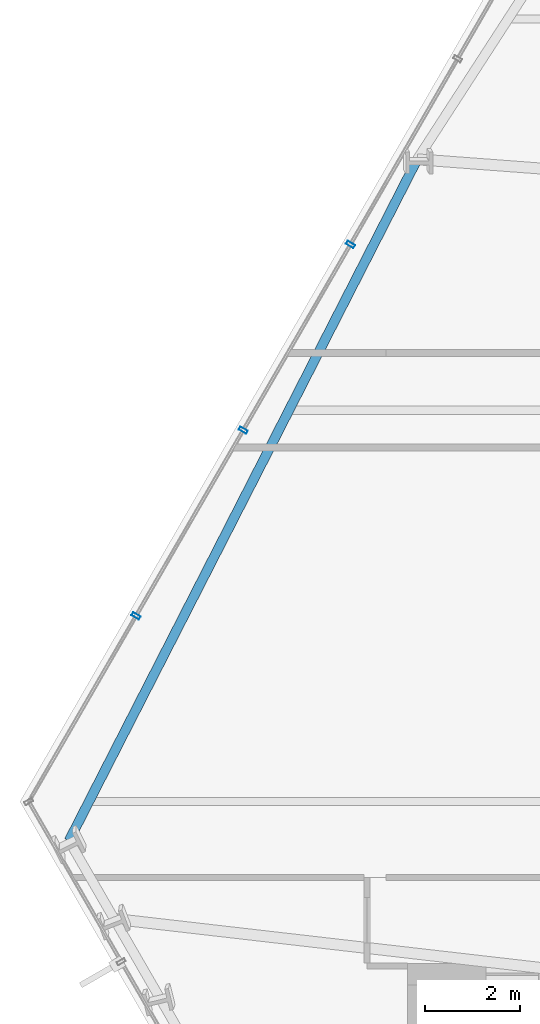
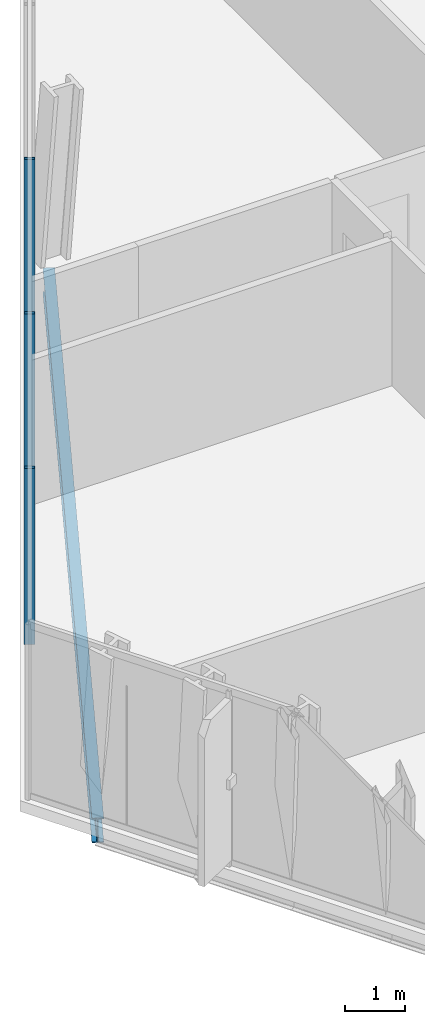
# One storey, part 11 of 32: 3 members, 1 beam, 1 element without a shape of its own.
"""IFC4 building model written with IfcOpenShell, lengths in metres."""

import ifcopenshell
import ifcopenshell.guid

model = None  # the IFC model being written
_history = None  # IfcOwnerHistory: only IFC2X3 demands one
_inside = {}  # id of a spatial element -> (the spatial element, [elements in it])
_under = {}  # id of a project, library or spatial element -> (it, [spatial elements below it])
_declared = {}  # id of a project -> (the project, [libraries it declares])
_typed = {}  # id of a type object -> (the type object, [elements of that type])
_made_of = {}  # id of a material, layer set ... -> (it, [elements and type objects made of it])


def new_model(schema):
    """Start an empty IFC model of exactly this schema.

    Asked for "IFC4X3", IfcOpenShell would pick the latest addendum, in which some entities
    have other attributes; the version numbers below select the first issue.
    IFC2X3 requires an IfcOwnerHistory on every rooted entity: one is made here for all.
    """
    global model, _history
    if schema == "IFC4X3":
        model = ifcopenshell.file(schema_version=(4, 3, 0, 0))
    else:
        model = ifcopenshell.file(schema=schema)
    _inside.clear()
    _under.clear()
    _declared.clear()
    _typed.clear()
    _made_of.clear()
    _history = None
    if model.schema == "IFC2X3":
        org = make("IfcOrganization", Name="unknown")
        user = make(
            "IfcPersonAndOrganization",
            ThePerson=make("IfcPerson", FamilyName="unknown"),
            TheOrganization=org,
        )
        app = make(
            "IfcApplication",
            ApplicationDeveloper=org,
            Version="unknown",
            ApplicationFullName="unknown",
            ApplicationIdentifier="unknown",
        )
        _history = make(
            "IfcOwnerHistory",
            OwningUser=user,
            OwningApplication=app,
            ChangeAction="ADDED",
            CreationDate=0,
        )
    return model


def make(cls, **values):
    """One entity of the class cls with the attributes given. An attribute that is None is left unset."""
    return model.create_entity(
        cls, **{name: value for name, value in values.items() if value is not None}
    )


def rooted(cls, **values):
    """An entity with a GlobalId (a new one), such as an element, a storey or a relation."""
    return make(cls, GlobalId=ifcopenshell.guid.new(), OwnerHistory=_history, **values)


def si_unit(unit_type, name, prefix=None):
    """IfcSIUnit, for example si_unit("LENGTHUNIT", "METRE", prefix="MILLI")."""
    return make("IfcSIUnit", UnitType=unit_type, Prefix=prefix, Name=name)


def assignment(units):
    """IfcUnitAssignment: the units of a project."""
    return None if units is None else make("IfcUnitAssignment", Units=units)


def point(xyz):
    """IfcCartesianPoint."""
    return None if xyz is None else make("IfcCartesianPoint", Coordinates=xyz)


def direction(xyz):
    """IfcDirection."""
    return None if xyz is None else make("IfcDirection", DirectionRatios=xyz)


def frame(location, z_axis=None, x_axis=None):
    """IfcAxis2Placement3D, a coordinate frame: its origin and axes. An axis left out is left unset."""
    return make(
        "IfcAxis2Placement3D",
        Location=point(location),
        Axis=direction(z_axis),
        RefDirection=direction(x_axis),
    )


def frame_2d(location, x_axis=None):
    """IfcAxis2Placement2D, a coordinate frame in the plane: its origin and x axis."""
    return make(
        "IfcAxis2Placement2D", Location=point(location), RefDirection=direction(x_axis)
    )


def origin():
    """The frame at (0, 0, 0) with its axes left unset."""
    return frame((0.0, 0.0, 0.0))


def origin_2d():
    """The frame at (0, 0) in the plane with its x axis left unset."""
    return frame_2d((0.0, 0.0))


def place(relative_to, where):
    """IfcLocalPlacement: puts the frame where relative to a parent placement (None: the world)."""
    return make(
        "IfcLocalPlacement", PlacementRelTo=relative_to, RelativePlacement=where
    )


def context(
    kind, dimensions, precision=None, world=None, true_north=None, identifier=None
):
    """IfcGeometricRepresentationContext, for example the 3D "Model" context."""
    return make(
        "IfcGeometricRepresentationContext",
        ContextIdentifier=identifier,
        ContextType=kind,
        CoordinateSpaceDimension=dimensions,
        Precision=precision,
        WorldCoordinateSystem=world,
        TrueNorth=true_north,
    )


def subcontext(parent, identifier, kind, view, scale=None):
    """IfcGeometricRepresentationSubContext, for example "Body" below "Model"."""
    return make(
        "IfcGeometricRepresentationSubContext",
        ContextIdentifier=identifier,
        ContextType=kind,
        ParentContext=parent,
        TargetScale=scale,
        TargetView=view,
    )


def project(units=None, contexts=None):
    """IfcProject with its units and contexts."""
    return rooted(
        "IfcProject",
        Name="project",
        RepresentationContexts=contexts,
        UnitsInContext=assignment(units),
    )


def spatial(cls, under=None, at=None, **own):
    """A site, building, storey or space (cls), placed at a placement, below another one or the project."""
    s = rooted(cls, ObjectPlacement=at, **own)
    if under is not None:
        _under.setdefault(under.id(), (under, []))[1].append(s)
    return s


def profile(cls, at=None, kind="AREA", **sizes):
    """A parametric profile (cls). Its sizes go by their IFC names, for example OverallWidth=200.0."""
    return make(cls, ProfileType=kind, Position=at, **sizes)


def hollow_rectangle(**sizes):
    """IfcRectangleHollowProfileDef."""
    return profile("IfcRectangleHollowProfileDef", **sizes)


def i_section(**sizes):
    """IfcIShapeProfileDef."""
    return profile("IfcIShapeProfileDef", **sizes)


def extrude(swept, where, along, depth):
    """IfcExtrudedAreaSolid: the profile swept, set in the frame where, extruded along a direction by depth."""
    return make(
        "IfcExtrudedAreaSolid",
        SweptArea=swept,
        Position=where,
        ExtrudedDirection=direction(along),
        Depth=depth,
    )


def shape(context_of_items, identifier, shape_type, items):
    """IfcShapeRepresentation: the items that make up one representation, for example the "Body"."""
    return make(
        "IfcShapeRepresentation",
        ContextOfItems=context_of_items,
        RepresentationIdentifier=identifier,
        RepresentationType=shape_type,
        Items=items,
    )


def material(Name=None, Category=None):
    """IfcMaterial."""
    return make("IfcMaterial", Name=Name, Category=Category)


def layer(
    of_material, thickness, ventilated=None, Name=None, Category=None, Priority=None
):
    """IfcMaterialLayer: one layer of a wall or slab, of a material (None: an air gap)."""
    return make(
        "IfcMaterialLayer",
        Material=of_material,
        LayerThickness=thickness,
        IsVentilated=ventilated,
        Name=Name,
        Category=Category,
        Priority=Priority,
    )


def layer_set(layers, Name=None):
    """IfcMaterialLayerSet."""
    return make("IfcMaterialLayerSet", MaterialLayers=layers, LayerSetName=Name)


def material_profile(
    of_material, cross_section, Name=None, Category=None, Priority=None
):
    """IfcMaterialProfile: a cross section and its material."""
    return make(
        "IfcMaterialProfile",
        Name=Name,
        Material=of_material,
        Profile=cross_section,
        Priority=Priority,
        Category=Category,
    )


def profile_set(profiles, Name=None, composite=None):
    """IfcMaterialProfileSet."""
    return make(
        "IfcMaterialProfileSet",
        Name=Name,
        MaterialProfiles=profiles,
        CompositeProfile=composite,
    )


def made_of(thing, what):
    """Note that an element or type object is made of a material, layer set ...; save() writes the relation."""
    if what is not None:
        _made_of.setdefault(what.id(), (what, []))[1].append(thing)
    return thing


def type_object(cls, material=None, **own):
    """A type object (cls), such as IfcWallType, which elements share."""
    return made_of(rooted(cls, **own), material)


def element(
    cls,
    number,
    at=None,
    inside=None,
    cuts=None,
    type_object=None,
    material=None,
    context=None,
    identifier="Body",
    shape_type=None,
    held_by="IfcProductDefinitionShape",
    body=None,
    shapes=None,
    **own,
):
    """One element of the class cls, such as IfcWall. Its Tag is "e" and its number.

    at: its placement. inside: the storey or other place that contains it. cuts: it is an
    opening in that element (IfcRelVoidsElement). A single representation is given by context,
    identifier, shape_type and body (its items); several are given by shapes. held_by: the class
    of the entity that holds the representations. save() writes the other relations.
    """
    e = rooted(cls, Tag="e%d" % number, ObjectPlacement=at, **own)
    if body is not None:
        shapes = [shape(context, identifier, shape_type, body)]
    if shapes is not None:
        e.Representation = make(held_by, Representations=shapes)
    if inside is not None:
        _inside.setdefault(inside.id(), (inside, []))[1].append(e)
    if cuts is not None:
        rooted(
            "IfcRelVoidsElement", RelatingBuildingElement=cuts, RelatedOpeningElement=e
        )
    if type_object is not None:
        _typed.setdefault(type_object.id(), (type_object, []))[1].append(e)
    return made_of(e, material)


def aggregate(whole, parts):
    """IfcRelAggregates: a whole, such as a stair, and the parts it consists of."""
    return rooted("IfcRelAggregates", RelatingObject=whole, RelatedObjects=parts)


def save(model, path):
    """Write the relations noted so far, then the file.

    IfcRelAggregates (storeys below a building ...), IfcRelContainedInSpatialStructure (elements
    in a storey), IfcRelDefinesByType, IfcRelAssociatesMaterial and IfcRelDeclares: one each for
    every whole, place, type object, material and project.
    """
    for whole, parts in _under.values():
        aggregate(whole, parts)
    for where, things in _inside.values():
        rooted(
            "IfcRelContainedInSpatialStructure",
            RelatedElements=things,
            RelatingStructure=where,
        )
    for kind, things in _typed.values():
        rooted("IfcRelDefinesByType", RelatedObjects=things, RelatingType=kind)
    for what, things in _made_of.values():
        rooted("IfcRelAssociatesMaterial", RelatedObjects=things, RelatingMaterial=what)
    for by, libraries in _declared.values():
        rooted("IfcRelDeclares", RelatingContext=by, RelatedDefinitions=libraries)
    model.write(path)


model = new_model("IFC4")

# Units and contexts
model_context = context("Model", 3, precision=1e-05, world=origin(), true_north=direction((0.0, 1.0)))
body_context = subcontext(model_context, "Body", "Model", "MODEL_VIEW")
ifc_project = project(units=[si_unit("LENGTHUNIT", "METRE"), si_unit("AREAUNIT", "SQUARE_METRE"), si_unit("VOLUMEUNIT", "CUBIC_METRE"), si_unit("PLANEANGLEUNIT", "RADIAN"), si_unit("MASSUNIT", "GRAM", prefix="KILO")], contexts=[model_context])

# Site, building, storey
site_placement = place(None, origin())
site = spatial("IfcSite", under=ifc_project, at=site_placement, CompositionType="ELEMENT")
building_placement = place(site_placement, origin())
building = spatial("IfcBuilding", under=site, at=building_placement, Name="Ndaravel Arena Tower", CompositionType="ELEMENT")
storey_placement = place(building_placement, frame((0.0, 0.0, 66.39990234375)))
storey = spatial("IfcBuildingStorey", under=building, at=storey_placement, Name="L14", CompositionType="ELEMENT", Elevation=66.39990234375)

# Beam
ifc_material_1 = material(Name="Steel S355", Category="steel")
ifc_material_profile_1 = material_profile(ifc_material_1, i_section(OverallWidth=0.199951171875, OverallDepth=0.5, WebThickness=0.01025390625, FlangeThickness=0.01611328125, FilletRadius=0.02099609375, at=origin_2d()), Name="IPE 500")
ifc_profile_set_1 = profile_set([ifc_material_profile_1], Name="Steel S355")
beam_type = type_object("IfcBeamType", Name="BM-SPAN-IPE500", PredefinedType="SPANDREL", material=ifc_profile_set_1)
beam_placement = place(storey_placement, frame((26.653564453125, 32.060791015625, -0.469970703125), z_axis=(-0.455114813305, -0.890432763722, 0.0), x_axis=(0.890432763722, -0.455114813305, 0.0)))
element("IfcBeam", 1, at=beam_placement, inside=storey, type_object=beam_type, Name="L14 Perimeter Spandrel Beam SP-19", PredefinedType="SPANDREL", context=body_context, shape_type="SweptSolid", body=[
    extrude(i_section(OverallWidth=0.199951171875, OverallDepth=0.5, WebThickness=0.01025390625, FlangeThickness=0.01611328125, FilletRadius=0.02099609375, at=origin_2d()), origin(), (0.0, 0.0, 1.0), 16.044189453125),
])

# Curtain wall, members
ifc_material_2 = material(Name="Aluminium", Category="aluminium")
ifc_layer = layer(ifc_material_2, 0.179931640625)
ifc_layer_set = layer_set([ifc_layer], Name="Aluminium")
curtain_wall_type = type_object("IfcCurtainWallType", Name="CW-SYS-03", PredefinedType="NOTDEFINED", material=ifc_layer_set)
curtain_wall_placement = place(storey_placement, origin())
curtain_wall = element("IfcCurtainWall", 2, at=curtain_wall_placement, inside=storey, type_object=curtain_wall_type, Name="L14 Faceted Crystal Curtain Wall CW-L14-E05", PredefinedType="NOTDEFINED")
ifc_material_3 = material(Name="Aluminium", Category="aluminium")
ifc_material_profile_2 = material_profile(ifc_material_3, hollow_rectangle(XDim=0.074951171875, YDim=0.179931640625, WallThickness=0.00390625, at=origin_2d()), Name="CW MULLION 75x180x4")
ifc_profile_set_2 = profile_set([ifc_material_profile_2], Name="Aluminium")
member_type = type_object("IfcMemberType", Name="MEM-CW-MUL180", PredefinedType="MULLION", material=ifc_profile_set_2)
member_1_placement = place(storey_placement, frame((25.25244140625, 30.274169921875, 0.0), z_axis=(0.0, 0.0, 1.0), x_axis=(-0.5, -0.866025403784, 0.0)))
member_1 = element("IfcMember", 3, at=member_1_placement, type_object=member_type, Name="CW-L14-E05 Mullion 04", PredefinedType="MULLION", context=body_context, shape_type="SweptSolid", body=[
    extrude(hollow_rectangle(XDim=0.074951171875, YDim=0.179931640625, WallThickness=0.00390625, at=origin_2d()), origin(), (0.0, 0.0, 1.0), 3.580078125),
])
member_2_placement = place(storey_placement, frame((23.004638671875, 26.380859375, 0.0), z_axis=(0.0, 0.0, 1.0), x_axis=(-0.5, -0.866025403784, 0.0)))
member_2 = element("IfcMember", 4, at=member_2_placement, type_object=member_type, Name="CW-L14-E05 Mullion 05", PredefinedType="MULLION", context=body_context, shape_type="SweptSolid", body=[
    extrude(hollow_rectangle(XDim=0.074951171875, YDim=0.179931640625, WallThickness=0.00390625, at=origin_2d()), origin(), (0.0, 0.0, 1.0), 3.580078125),
])
member_3_placement = place(storey_placement, frame((20.7568359375, 22.4873046875, 0.0), z_axis=(0.0, 0.0, 1.0), x_axis=(-0.5, -0.866025403784, 0.0)))
member_3 = element("IfcMember", 5, at=member_3_placement, type_object=member_type, Name="CW-L14-E05 Mullion 06", PredefinedType="MULLION", context=body_context, shape_type="SweptSolid", body=[
    extrude(hollow_rectangle(XDim=0.074951171875, YDim=0.179931640625, WallThickness=0.00390625, at=origin_2d()), origin(), (0.0, 0.0, 1.0), 3.580078125),
])
aggregate(curtain_wall, [member_1, member_2, member_3])

save(model, "model.ifc")
